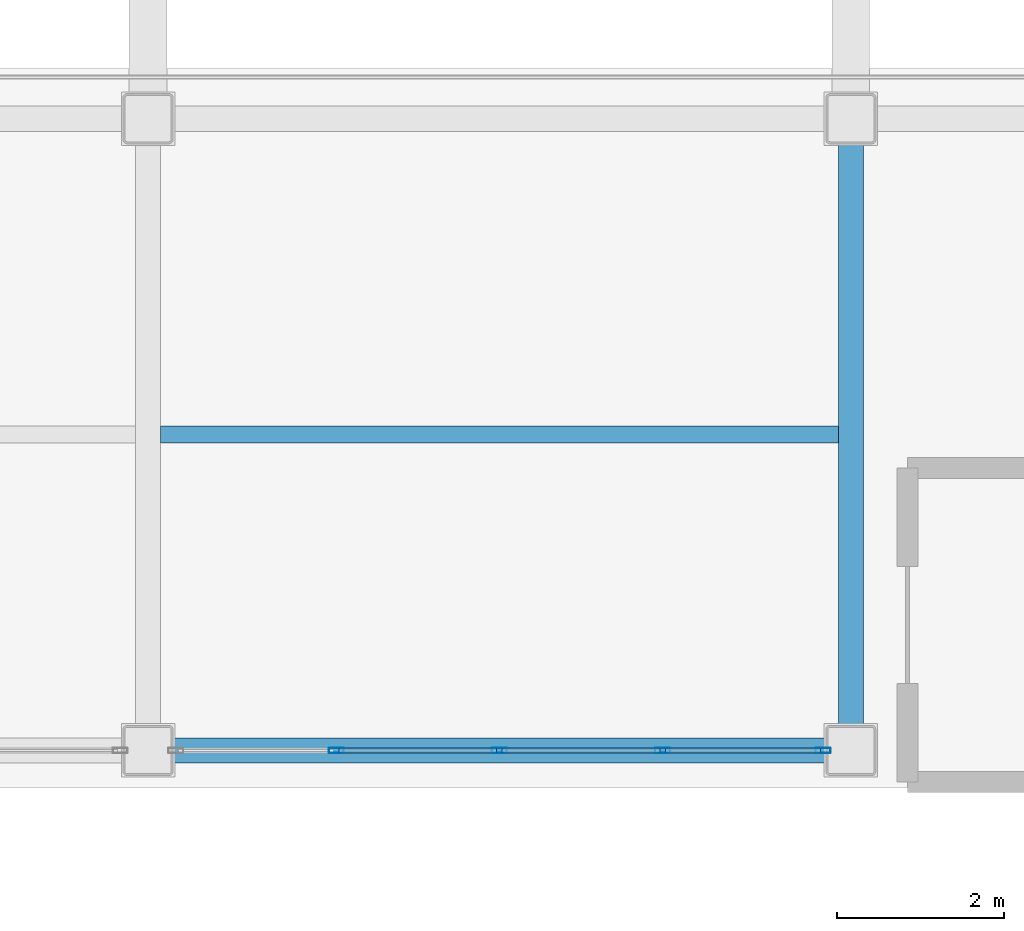
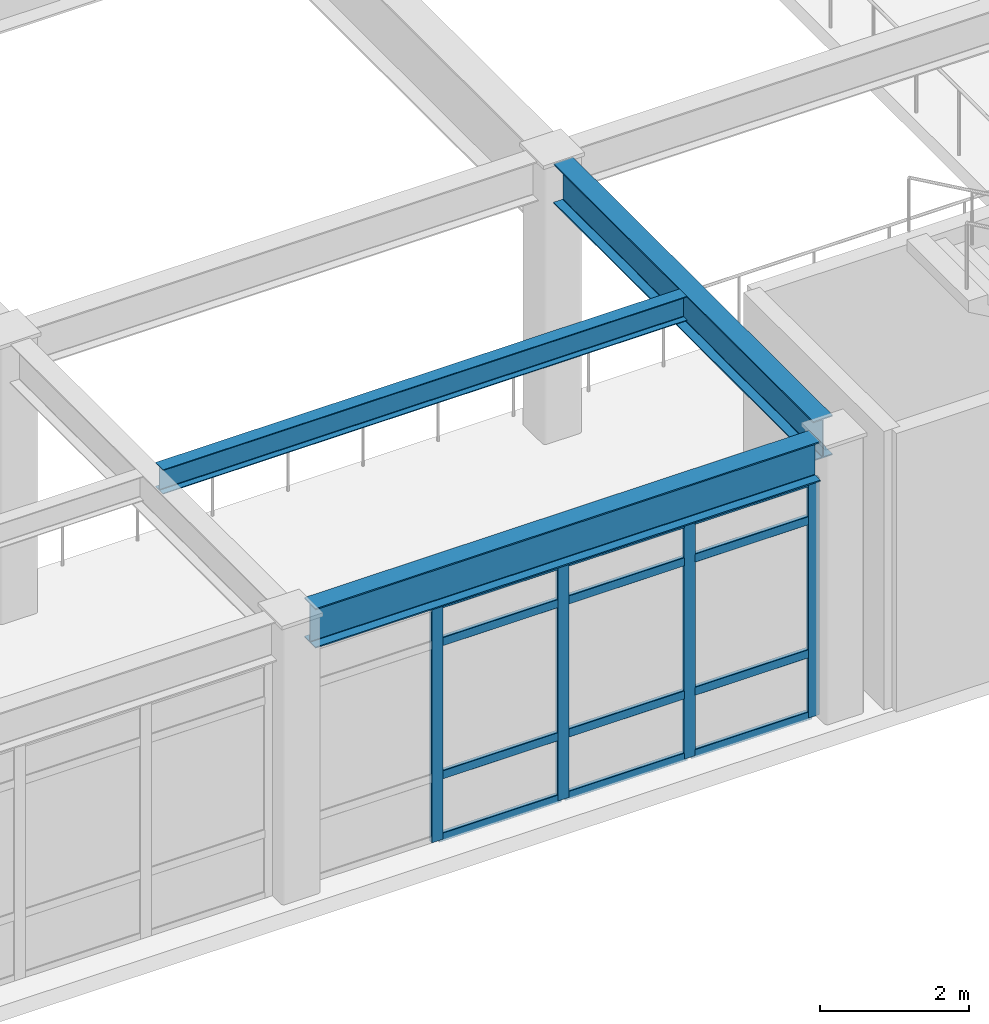
# One storey, part 13 of 172: 16 members, 3 beams, 1 element without a shape of its own.
"""IFC4 building model written with IfcOpenShell, lengths in metres."""

from ifc_helpers import new_model, si_unit, direction, frame, origin, origin_2d, place, context, subcontext, project, spatial, hollow_rectangle, i_section, extrude, material, layer, layer_set, material_profile, profile_set, type_object, element, aggregate, save


model = new_model("IFC4")

# Units and contexts
model_context = context("Model", 3, precision=1e-05, world=origin(), true_north=direction((0.0, 1.0)))
body_context = subcontext(model_context, "Body", "Model", "MODEL_VIEW")
ifc_project = project(units=[si_unit("LENGTHUNIT", "METRE"), si_unit("AREAUNIT", "SQUARE_METRE"), si_unit("VOLUMEUNIT", "CUBIC_METRE"), si_unit("PLANEANGLEUNIT", "RADIAN"), si_unit("MASSUNIT", "GRAM", prefix="KILO")], contexts=[model_context])

# Site, building, storey
site_placement = place(None, origin())
site = spatial("IfcSite", under=ifc_project, at=site_placement, CompositionType="ELEMENT")
building_placement = place(site_placement, origin())
building = spatial("IfcBuilding", under=site, at=building_placement, Name="Kazehara Bluff Congress Hotel", CompositionType="ELEMENT")
storey_placement = place(building_placement, frame((0.0, 0.0, 5.39990234375)))
storey = spatial("IfcBuildingStorey", under=building, at=storey_placement, Name="L01", CompositionType="ELEMENT", Elevation=5.39990234375)

# Curtain wall, members
ifc_material_1 = material(Name="Anodised aluminium", Category="aluminium")
ifc_layer = layer(ifc_material_1, 0.159912109375)
ifc_layer_set = layer_set([ifc_layer], Name="Anodised aluminium")
curtain_wall_type = type_object("IfcCurtainWallType", Name="TP-CW-29", PredefinedType="NOTDEFINED", material=ifc_layer_set)
curtain_wall_placement = place(storey_placement, origin())
curtain_wall = element("IfcCurtainWall", 1, at=curtain_wall_placement, inside=storey, type_object=curtain_wall_type, Name="L01 curtain wall CW-29 CW-V2-L01-Y45-3390", PredefinedType="NOTDEFINED")
ifc_material_2 = material(Name="Anodised aluminium", Category="aluminium")
ifc_material_profile_1 = material_profile(ifc_material_2, hollow_rectangle(XDim=0.06494140625, YDim=0.179931640625, WallThickness=0.00390625, InnerFilletRadius=0.00390625, OuterFilletRadius=0.008056640625, at=origin_2d()))
ifc_profile_set_1 = profile_set([ifc_material_profile_1], Name="Anodised aluminium")
member_type_1 = type_object("IfcMemberType", Name="TP-CWM-02", PredefinedType="MULLION", material=ifc_profile_set_1)
member_1_placement = place(storey_placement, frame((35.85009765625, 0.449951171875, 0.0), z_axis=(0.0, 0.0, 1.0), x_axis=(0.0, 1.0, 0.0)))
member_1 = element("IfcMember", 2, at=member_1_placement, type_object=member_type_1, Name="CW-29 mullion 2", PredefinedType="MULLION", context=body_context, shape_type="SweptSolid", body=[
    extrude(hollow_rectangle(XDim=0.06494140625, YDim=0.179931640625, WallThickness=0.00390625, InnerFilletRadius=0.00390625, OuterFilletRadius=0.008056640625, at=origin_2d()), origin(), (0.0, 0.0, 1.0), 3.875),
])
member_2_placement = place(storey_placement, frame((37.800048828125, 0.449951171875, 0.0), z_axis=(0.0, 0.0, 1.0), x_axis=(0.0, 1.0, 0.0)))
member_2 = element("IfcMember", 3, at=member_2_placement, type_object=member_type_1, Name="CW-29 mullion 3", PredefinedType="MULLION", context=body_context, shape_type="SweptSolid", body=[
    extrude(hollow_rectangle(XDim=0.06494140625, YDim=0.179931640625, WallThickness=0.00390625, InnerFilletRadius=0.00390625, OuterFilletRadius=0.008056640625, at=origin_2d()), origin(), (0.0, 0.0, 1.0), 3.875),
])
member_3_placement = place(storey_placement, frame((39.75, 0.449951171875, 0.0), z_axis=(0.0, 0.0, 1.0), x_axis=(0.0, 1.0, 0.0)))
member_3 = element("IfcMember", 4, at=member_3_placement, type_object=member_type_1, Name="CW-29 mullion 4", PredefinedType="MULLION", context=body_context, shape_type="SweptSolid", body=[
    extrude(hollow_rectangle(XDim=0.06494140625, YDim=0.179931640625, WallThickness=0.00390625, InnerFilletRadius=0.00390625, OuterFilletRadius=0.008056640625, at=origin_2d()), origin(), (0.0, 0.0, 1.0), 3.875),
])
member_4_placement = place(storey_placement, frame((41.66748046875, 0.449951171875, 0.0), z_axis=(0.0, 0.0, 1.0), x_axis=(0.0, 1.0, 0.0)))
member_4 = element("IfcMember", 5, at=member_4_placement, type_object=member_type_1, Name="CW-29 mullion 5", PredefinedType="MULLION", context=body_context, shape_type="SweptSolid", body=[
    extrude(hollow_rectangle(XDim=0.06494140625, YDim=0.179931640625, WallThickness=0.00390625, InnerFilletRadius=0.00390625, OuterFilletRadius=0.008056640625, at=origin_2d()), origin(), (0.0, 0.0, 1.0), 3.875),
])
ifc_material_3 = material(Name="Anodised aluminium", Category="aluminium")
ifc_material_profile_2 = material_profile(ifc_material_3, hollow_rectangle(XDim=0.06494140625, YDim=0.139892578125, WallThickness=0.00390625, InnerFilletRadius=0.00390625, OuterFilletRadius=0.008056640625, at=origin_2d()))
ifc_profile_set_2 = profile_set([ifc_material_profile_2], Name="Anodised aluminium")
member_type_2 = type_object("IfcMemberType", Name="TP-CWT-02", PredefinedType="USERDEFINED", material=ifc_profile_set_2)
member_5_placement = place(storey_placement, frame((35.882568359375, 0.449951171875, 0.03271484375), z_axis=(1.0, 0.0, 0.0), x_axis=(0.0, 1.0, 0.0)))
member_5 = element("IfcMember", 6, at=member_5_placement, type_object=member_type_2, Name="CW-29 transom 2.1", ObjectType="TRANSOM", PredefinedType="USERDEFINED", context=body_context, shape_type="SweptSolid", body=[
    extrude(hollow_rectangle(XDim=0.06494140625, YDim=0.139892578125, WallThickness=0.00390625, InnerFilletRadius=0.00390625, OuterFilletRadius=0.008056640625, at=origin_2d()), origin(), (0.0, 0.0, 1.0), 1.885009765625),
])
member_6_placement = place(storey_placement, frame((35.882568359375, 0.449951171875, 1.050048828125), z_axis=(1.0, 0.0, 0.0), x_axis=(0.0, 1.0, 0.0)))
member_6 = element("IfcMember", 7, at=member_6_placement, type_object=member_type_2, Name="CW-29 transom 2.2", ObjectType="TRANSOM", PredefinedType="USERDEFINED", context=body_context, shape_type="SweptSolid", body=[
    extrude(hollow_rectangle(XDim=0.06494140625, YDim=0.139892578125, WallThickness=0.00390625, InnerFilletRadius=0.00390625, OuterFilletRadius=0.008056640625, at=origin_2d()), origin(), (0.0, 0.0, 1.0), 1.885009765625),
])
member_7_placement = place(storey_placement, frame((35.882568359375, 0.449951171875, 3.22509765625), z_axis=(1.0, 0.0, 0.0), x_axis=(0.0, 1.0, 0.0)))
member_7 = element("IfcMember", 8, at=member_7_placement, type_object=member_type_2, Name="CW-29 transom 2.3", ObjectType="TRANSOM", PredefinedType="USERDEFINED", context=body_context, shape_type="SweptSolid", body=[
    extrude(hollow_rectangle(XDim=0.06494140625, YDim=0.139892578125, WallThickness=0.00390625, InnerFilletRadius=0.00390625, OuterFilletRadius=0.008056640625, at=origin_2d()), origin(), (0.0, 0.0, 1.0), 1.885009765625),
])
member_8_placement = place(storey_placement, frame((35.882568359375, 0.449951171875, 3.842529296875), z_axis=(1.0, 0.0, 0.0), x_axis=(0.0, 1.0, 0.0)))
member_8 = element("IfcMember", 9, at=member_8_placement, type_object=member_type_2, Name="CW-29 transom 2.4", ObjectType="TRANSOM", PredefinedType="USERDEFINED", context=body_context, shape_type="SweptSolid", body=[
    extrude(hollow_rectangle(XDim=0.06494140625, YDim=0.139892578125, WallThickness=0.00390625, InnerFilletRadius=0.00390625, OuterFilletRadius=0.008056640625, at=origin_2d()), origin(), (0.0, 0.0, 1.0), 1.885009765625),
])
member_9_placement = place(storey_placement, frame((37.83251953125, 0.449951171875, 0.03271484375), z_axis=(1.0, 0.0, 0.0), x_axis=(0.0, 1.0, 0.0)))
member_9 = element("IfcMember", 10, at=member_9_placement, type_object=member_type_2, Name="CW-29 transom 3.1", ObjectType="TRANSOM", PredefinedType="USERDEFINED", context=body_context, shape_type="SweptSolid", body=[
    extrude(hollow_rectangle(XDim=0.06494140625, YDim=0.139892578125, WallThickness=0.00390625, InnerFilletRadius=0.00390625, OuterFilletRadius=0.008056640625, at=origin_2d()), origin(), (0.0, 0.0, 1.0), 1.885009765625),
])
member_10_placement = place(storey_placement, frame((37.83251953125, 0.449951171875, 1.050048828125), z_axis=(1.0, 0.0, 0.0), x_axis=(0.0, 1.0, 0.0)))
member_10 = element("IfcMember", 11, at=member_10_placement, type_object=member_type_2, Name="CW-29 transom 3.2", ObjectType="TRANSOM", PredefinedType="USERDEFINED", context=body_context, shape_type="SweptSolid", body=[
    extrude(hollow_rectangle(XDim=0.06494140625, YDim=0.139892578125, WallThickness=0.00390625, InnerFilletRadius=0.00390625, OuterFilletRadius=0.008056640625, at=origin_2d()), origin(), (0.0, 0.0, 1.0), 1.885009765625),
])
member_11_placement = place(storey_placement, frame((37.83251953125, 0.449951171875, 3.22509765625), z_axis=(1.0, 0.0, 0.0), x_axis=(0.0, 1.0, 0.0)))
member_11 = element("IfcMember", 12, at=member_11_placement, type_object=member_type_2, Name="CW-29 transom 3.3", ObjectType="TRANSOM", PredefinedType="USERDEFINED", context=body_context, shape_type="SweptSolid", body=[
    extrude(hollow_rectangle(XDim=0.06494140625, YDim=0.139892578125, WallThickness=0.00390625, InnerFilletRadius=0.00390625, OuterFilletRadius=0.008056640625, at=origin_2d()), origin(), (0.0, 0.0, 1.0), 1.885009765625),
])
member_12_placement = place(storey_placement, frame((37.83251953125, 0.449951171875, 3.842529296875), z_axis=(1.0, 0.0, 0.0), x_axis=(0.0, 1.0, 0.0)))
member_12 = element("IfcMember", 13, at=member_12_placement, type_object=member_type_2, Name="CW-29 transom 3.4", ObjectType="TRANSOM", PredefinedType="USERDEFINED", context=body_context, shape_type="SweptSolid", body=[
    extrude(hollow_rectangle(XDim=0.06494140625, YDim=0.139892578125, WallThickness=0.00390625, InnerFilletRadius=0.00390625, OuterFilletRadius=0.008056640625, at=origin_2d()), origin(), (0.0, 0.0, 1.0), 1.885009765625),
])
member_13_placement = place(storey_placement, frame((39.782470703125, 0.449951171875, 0.03271484375), z_axis=(1.0, 0.0, 0.0), x_axis=(0.0, 1.0, 0.0)))
member_13 = element("IfcMember", 14, at=member_13_placement, type_object=member_type_2, Name="CW-29 transom 4.1", ObjectType="TRANSOM", PredefinedType="USERDEFINED", context=body_context, shape_type="SweptSolid", body=[
    extrude(hollow_rectangle(XDim=0.06494140625, YDim=0.139892578125, WallThickness=0.00390625, InnerFilletRadius=0.00390625, OuterFilletRadius=0.008056640625, at=origin_2d()), origin(), (0.0, 0.0, 1.0), 1.8525390625),
])
member_14_placement = place(storey_placement, frame((39.782470703125, 0.449951171875, 1.050048828125), z_axis=(1.0, 0.0, 0.0), x_axis=(0.0, 1.0, 0.0)))
member_14 = element("IfcMember", 15, at=member_14_placement, type_object=member_type_2, Name="CW-29 transom 4.2", ObjectType="TRANSOM", PredefinedType="USERDEFINED", context=body_context, shape_type="SweptSolid", body=[
    extrude(hollow_rectangle(XDim=0.06494140625, YDim=0.139892578125, WallThickness=0.00390625, InnerFilletRadius=0.00390625, OuterFilletRadius=0.008056640625, at=origin_2d()), origin(), (0.0, 0.0, 1.0), 1.8525390625),
])
member_15_placement = place(storey_placement, frame((39.782470703125, 0.449951171875, 3.22509765625), z_axis=(1.0, 0.0, 0.0), x_axis=(0.0, 1.0, 0.0)))
member_15 = element("IfcMember", 16, at=member_15_placement, type_object=member_type_2, Name="CW-29 transom 4.3", ObjectType="TRANSOM", PredefinedType="USERDEFINED", context=body_context, shape_type="SweptSolid", body=[
    extrude(hollow_rectangle(XDim=0.06494140625, YDim=0.139892578125, WallThickness=0.00390625, InnerFilletRadius=0.00390625, OuterFilletRadius=0.008056640625, at=origin_2d()), origin(), (0.0, 0.0, 1.0), 1.8525390625),
])
member_16_placement = place(storey_placement, frame((39.782470703125, 0.449951171875, 3.842529296875), z_axis=(1.0, 0.0, 0.0), x_axis=(0.0, 1.0, 0.0)))
member_16 = element("IfcMember", 17, at=member_16_placement, type_object=member_type_2, Name="CW-29 transom 4.4", ObjectType="TRANSOM", PredefinedType="USERDEFINED", context=body_context, shape_type="SweptSolid", body=[
    extrude(hollow_rectangle(XDim=0.06494140625, YDim=0.139892578125, WallThickness=0.00390625, InnerFilletRadius=0.00390625, OuterFilletRadius=0.008056640625, at=origin_2d()), origin(), (0.0, 0.0, 1.0), 1.8525390625),
])
aggregate(curtain_wall, [member_1, member_2, member_3, member_4, member_5, member_6, member_7, member_8, member_9, member_10, member_11, member_12, member_13, member_14, member_15, member_16])

# Beams
ifc_material_4 = material(Name="Steel SN490B", Category="steel")
ifc_material_profile_3 = material_profile(ifc_material_4, i_section(OverallWidth=0.300048828125, OverallDepth=0.64990234375, WebThickness=0.011962890625, FlangeThickness=0.02001953125, FilletRadius=0.012939453125, at=origin_2d()))
ifc_profile_set_3 = profile_set([ifc_material_profile_3], Name="Steel SN490B")
beam_type_1 = type_object("IfcBeamType", Name="TP-G-03", PredefinedType="BEAM", material=ifc_profile_set_3)
beam_1_placement = place(storey_placement, frame((42.0, 0.75, 4.22509765625), z_axis=(0.0, 1.0, 0.0), x_axis=(-1.0, 0.0, 0.0)))
element("IfcBeam", 18, at=beam_1_placement, inside=storey, type_object=beam_type_1, Name="L01 girder G-03 58", PredefinedType="BEAM", context=body_context, shape_type="SweptSolid", body=[
    extrude(i_section(OverallWidth=0.300048828125, OverallDepth=0.64990234375, WebThickness=0.011962890625, FlangeThickness=0.02001953125, FilletRadius=0.012939453125, at=origin_2d()), origin(), (0.0, 0.0, 1.0), 6.949951171875),
])
beam_2_placement = place(storey_placement, frame((33.89990234375, 0.449951171875, 4.22509765625), z_axis=(1.0, 0.0, 0.0), x_axis=(0.0, 1.0, 0.0)))
element("IfcBeam", 19, at=beam_2_placement, inside=storey, type_object=beam_type_1, Name="L01 girder G-03 72", PredefinedType="BEAM", context=body_context, shape_type="SweptSolid", body=[
    extrude(i_section(OverallWidth=0.300048828125, OverallDepth=0.64990234375, WebThickness=0.011962890625, FlangeThickness=0.02001953125, FilletRadius=0.012939453125, at=origin_2d()), origin(), (0.0, 0.0, 1.0), 7.800048828125),
])
ifc_material_5 = material(Name="Steel SN400B", Category="steel")
ifc_material_profile_4 = material_profile(ifc_material_5, i_section(OverallWidth=0.199951171875, OverallDepth=0.39990234375, WebThickness=0.008056640625, FlangeThickness=0.012939453125, FilletRadius=0.012939453125, at=origin_2d()))
ifc_profile_set_4 = profile_set([ifc_material_profile_4], Name="Steel SN400B")
beam_type_2 = type_object("IfcBeamType", Name="TP-J-03", PredefinedType="JOIST", material=ifc_profile_set_4)
beam_3_placement = place(storey_placement, frame((33.75, 4.22509765625, 4.35009765625), z_axis=(1.0, 0.0, 0.0), x_axis=(0.0, 1.0, 0.0)))
element("IfcBeam", 20, at=beam_3_placement, inside=storey, type_object=beam_type_2, Name="L01 secondary joist J-03 7", PredefinedType="JOIST", context=body_context, shape_type="SweptSolid", body=[
    extrude(i_section(OverallWidth=0.199951171875, OverallDepth=0.39990234375, WebThickness=0.008056640625, FlangeThickness=0.012939453125, FilletRadius=0.012939453125, at=origin_2d()), origin(), (0.0, 0.0, 1.0), 8.10009765625),
])

save(model, "model.ifc")
